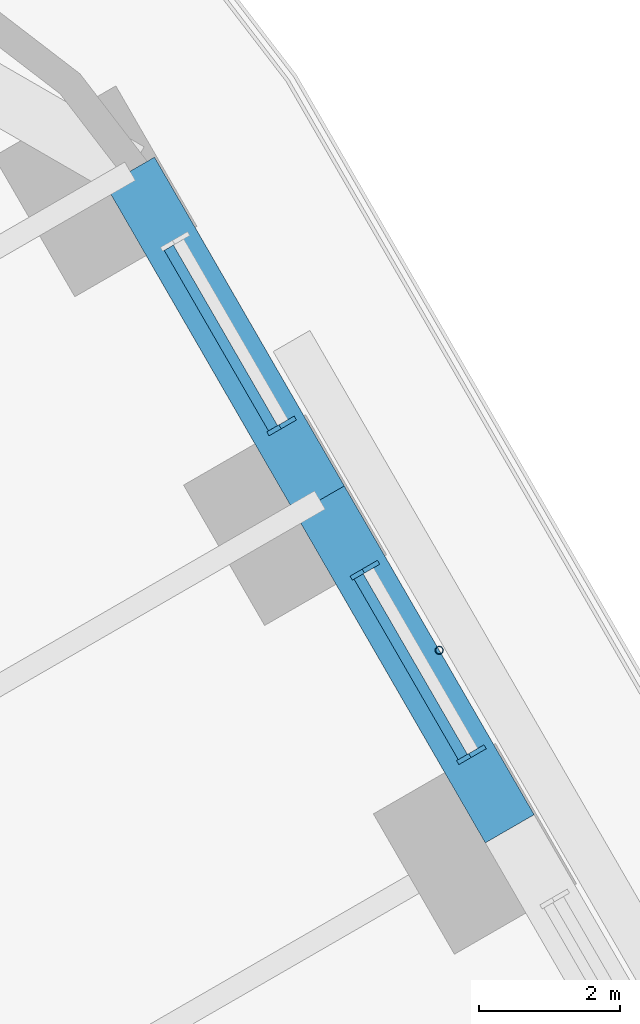
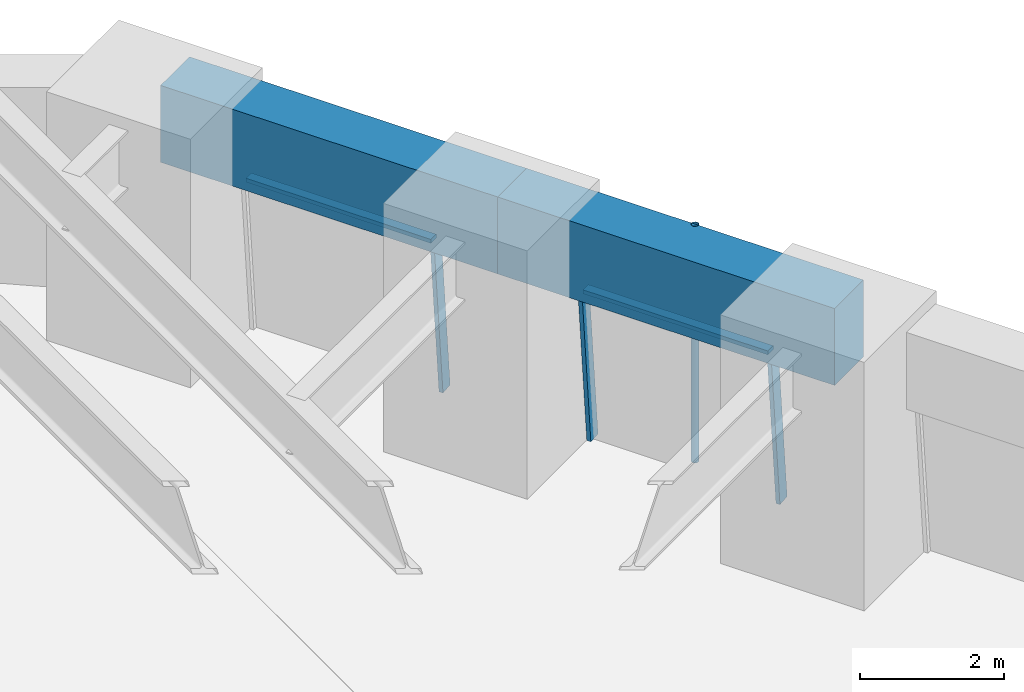
# One storey, part 11 of 23: 6 members, 2 beams, 2 elements without a shape of their own.
"""IFC4 building model written with IfcOpenShell, lengths in metres."""

from ifc_helpers import new_model, si_unit, direction, frame, origin, origin_2d, place, context, subcontext, project, spatial, rectangle, hollow_circle, extrude, material, material_profile, profile_set, type_object, element, aggregate, save


model = new_model("IFC4")

# Units and contexts
model_context = context("Model", 3, precision=1e-05, world=origin(), true_north=direction((0.0, 1.0)))
body_context = subcontext(model_context, "Body", "Model", "MODEL_VIEW")
ifc_project = project(units=[si_unit("LENGTHUNIT", "METRE"), si_unit("AREAUNIT", "SQUARE_METRE"), si_unit("VOLUMEUNIT", "CUBIC_METRE"), si_unit("PLANEANGLEUNIT", "RADIAN"), si_unit("MASSUNIT", "GRAM", prefix="KILO")], contexts=[model_context])

# Site, building, storey
site_placement = place(None, origin())
site = spatial("IfcSite", under=ifc_project, at=site_placement, CompositionType="ELEMENT")
building_placement = place(site_placement, origin())
building = spatial("IfcBuilding", under=site, at=building_placement, Name="Tarfa Lantern Tower", CompositionType="ELEMENT")
storey_placement = place(building_placement, frame((0.0, 0.0, 27.699951171875)))
storey = spatial("IfcBuildingStorey", under=building, at=storey_placement, Name="L05", CompositionType="ELEMENT", Elevation=27.699951171875)

# Curtain wall, members
ifc_material_1 = material(Name="Aluminium framed curtain wall", Category="aluminium")
curtain_wall_type = type_object("IfcCurtainWallType", Name="CW1 CANTED GLAZING LOW ZONE 2700", PredefinedType="USERDEFINED", material=ifc_material_1)
curtain_wall_1_placement = place(storey_placement, origin())
curtain_wall_1 = element("IfcCurtainWall", 1, at=curtain_wall_1_placement, inside=storey, type_object=curtain_wall_type, Name="CW1 NE L05", ObjectType="CURTAIN WALL", PredefinedType="USERDEFINED")
ifc_material_2 = material(Name="Aluminium mullion", Category="aluminium")
ifc_material_profile_1 = material_profile(ifc_material_2, rectangle(XDim=0.06494140625, YDim=0.199951171875, at=origin_2d()), Name="AL MULLION 65x200")
ifc_profile_set_1 = profile_set([ifc_material_profile_1], Name="Aluminium mullion")
member_type_1 = type_object("IfcMemberType", Name="CWM1 MULLION 65x200", PredefinedType="MULLION", material=ifc_profile_set_1)
member_1_placement = place(storey_placement, frame((26.07275390625, 22.640625, 0.0), z_axis=(-0.07986442134, -0.046099868913, 0.99573916077), x_axis=(0.499919672301, -0.866071776036, 0.0)))
member_1 = element("IfcMember", 2, at=member_1_placement, type_object=member_type_1, Name="CW1 mullion 1", PredefinedType="MULLION", context=body_context, shape_type="SweptSolid", body=[
    extrude(rectangle(XDim=0.06494140625, YDim=0.199951171875, at=origin_2d()), origin(), (0.0, 0.0, 1.0), 2.71142578125),
])
member_2_placement = place(storey_placement, frame((24.560791015625, 25.25927734375, 0.0), z_axis=(-0.079774955866, -0.04610020023, 0.995746317068), x_axis=(0.500342721131, -0.865827443207, 0.0)))
member_2 = element("IfcMember", 3, at=member_2_placement, type_object=member_type_1, Name="CW1 mullion 2", PredefinedType="MULLION", context=body_context, shape_type="SweptSolid", body=[
    extrude(rectangle(XDim=0.06494140625, YDim=0.199951171875, at=origin_2d()), origin(), (0.0, 0.0, 1.0), 2.71142578125),
])

# Curtain wall, member
curtain_wall_2_placement = place(storey_placement, origin())
curtain_wall_2 = element("IfcCurtainWall", 4, at=curtain_wall_2_placement, inside=storey, type_object=curtain_wall_type, Name="CW1 NE L05", ObjectType="CURTAIN WALL", PredefinedType="USERDEFINED")
member_3_placement = place(storey_placement, frame((23.37841796875, 27.307373046875, 0.0), z_axis=(-0.07986442134, -0.046099868913, 0.99573916077), x_axis=(0.499919672301, -0.866071776036, 0.0)))
member_3 = element("IfcMember", 5, at=member_3_placement, type_object=member_type_1, Name="CW1 mullion 1", PredefinedType="MULLION", context=body_context, shape_type="SweptSolid", body=[
    extrude(rectangle(XDim=0.06494140625, YDim=0.199951171875, at=origin_2d()), origin(), (0.0, 0.0, 1.0), 2.71142578125),
])

# Member
ifc_material_3 = material(Name="Aluminium transom", Category="aluminium")
ifc_material_profile_2 = material_profile(ifc_material_3, rectangle(XDim=0.14990234375, YDim=0.06494140625, at=origin_2d()), Name="AL TRANSOM 150x65")
ifc_profile_set_2 = profile_set([ifc_material_profile_2], Name="Aluminium transom")
member_type_2 = type_object("IfcMemberType", Name="CWT1 TRANSOM 150x65", PredefinedType="USERDEFINED", material=ifc_profile_set_2)
member_4_placement = place(storey_placement, frame((25.842529296875, 22.54541015625, 2.66748046875), z_axis=(-0.499981985492, 0.866035804215, 0.0), x_axis=(-0.866035804215, -0.499981985492, 0.0)))
member_4 = element("IfcMember", 6, at=member_4_placement, type_object=member_type_2, Name="CW1 transom 1.2", ObjectType="TRANSOM", PredefinedType="USERDEFINED", context=body_context, shape_type="SweptSolid", body=[
    extrude(rectangle(XDim=0.14990234375, YDim=0.06494140625, at=origin_2d()), origin(), (0.0, 0.0, 1.0), 2.95849609375),
])

aggregate(curtain_wall_1, [member_1, member_2, member_4])

member_5_placement = place(storey_placement, frame((23.148193359375, 27.212158203125, 2.66748046875), z_axis=(-0.500017718492, 0.866015173767, 0.0), x_axis=(-0.866015173767, -0.500017718492, 0.0)))
member_5 = element("IfcMember", 7, at=member_5_placement, type_object=member_type_2, Name="CW1 transom 1.2", ObjectType="TRANSOM", PredefinedType="USERDEFINED", context=body_context, shape_type="SweptSolid", body=[
    extrude(rectangle(XDim=0.14990234375, YDim=0.06494140625, at=origin_2d()), origin(), (0.0, 0.0, 1.0), 2.95849609375),
])

aggregate(curtain_wall_2, [member_3, member_5])

# Beams
ifc_material_4 = material(Name="Concrete C80/95", Category="concrete")
ifc_material_profile_3 = material_profile(ifc_material_4, rectangle(XDim=0.800048828125, YDim=1.300048828125, at=origin_2d()), Name="RC 800x1300")
ifc_profile_set_3 = profile_set([ifc_material_profile_3], Name="Concrete C80/95")
beam_type = type_object("IfcBeamType", Name="EB1 RC 800x1300", PredefinedType="SPANDREL", material=ifc_profile_set_3)
for number, where, z_axis, x_axis, name in (
    (8, (26.508056640625, 21.526611328125, 3.35009765625), (-0.499998287579, 0.866026392449, 0.0), (-0.866026392449, -0.499998287579, 0.0), "Edge beam NE4"),
    (9, (23.813720703125, 26.193359375, 3.35009765625), (-0.499998287579, 0.866026392449, 0.0), (-0.866026392449, -0.499998287579, 0.0), "Edge beam NE5"),
):
    element("IfcBeam", number, at=place(storey_placement, frame(where, z_axis=z_axis, x_axis=x_axis)), inside=storey, type_object=beam_type, Name=name, PredefinedType="SPANDREL", context=body_context, shape_type="SweptSolid", body=[
        extrude(rectangle(XDim=0.800048828125, YDim=1.300048828125, at=origin_2d()), origin(), (0.0, 0.0, 1.0), 5.388671875),
    ])

# Member
ifc_material_5 = material(Name="Steel S355", Category="steel")
ifc_material_profile_4 = material_profile(ifc_material_5, hollow_circle(Radius=0.05712890625, WallThickness=0.00634765625, at=origin_2d()), Name="CHS114.3x6.3")
ifc_profile_set_4 = profile_set([ifc_material_profile_4], Name="Steel S355")
member_type_3 = type_object("IfcMemberType", Name="TR1 GREEN WALL TRELLIS CHS114.3x6.3", PredefinedType="USERDEFINED", material=ifc_profile_set_4)
member_6_placement = place(storey_placement, frame((25.50732421875, 24.06005859375, 0.0), z_axis=(0.0, 0.0, 1.0), x_axis=(1.0, 0.0, 0.0)))
element("IfcMember", 10, at=member_6_placement, inside=storey, type_object=member_type_3, Name="Trellis post NE 2", ObjectType="TRELLIS", PredefinedType="USERDEFINED", context=body_context, shape_type="SweptSolid", body=[
    extrude(hollow_circle(Radius=0.05712890625, WallThickness=0.00634765625, at=origin_2d()), origin(), (0.0, 0.0, 1.0), 4.0),
])

save(model, "model.ifc")
